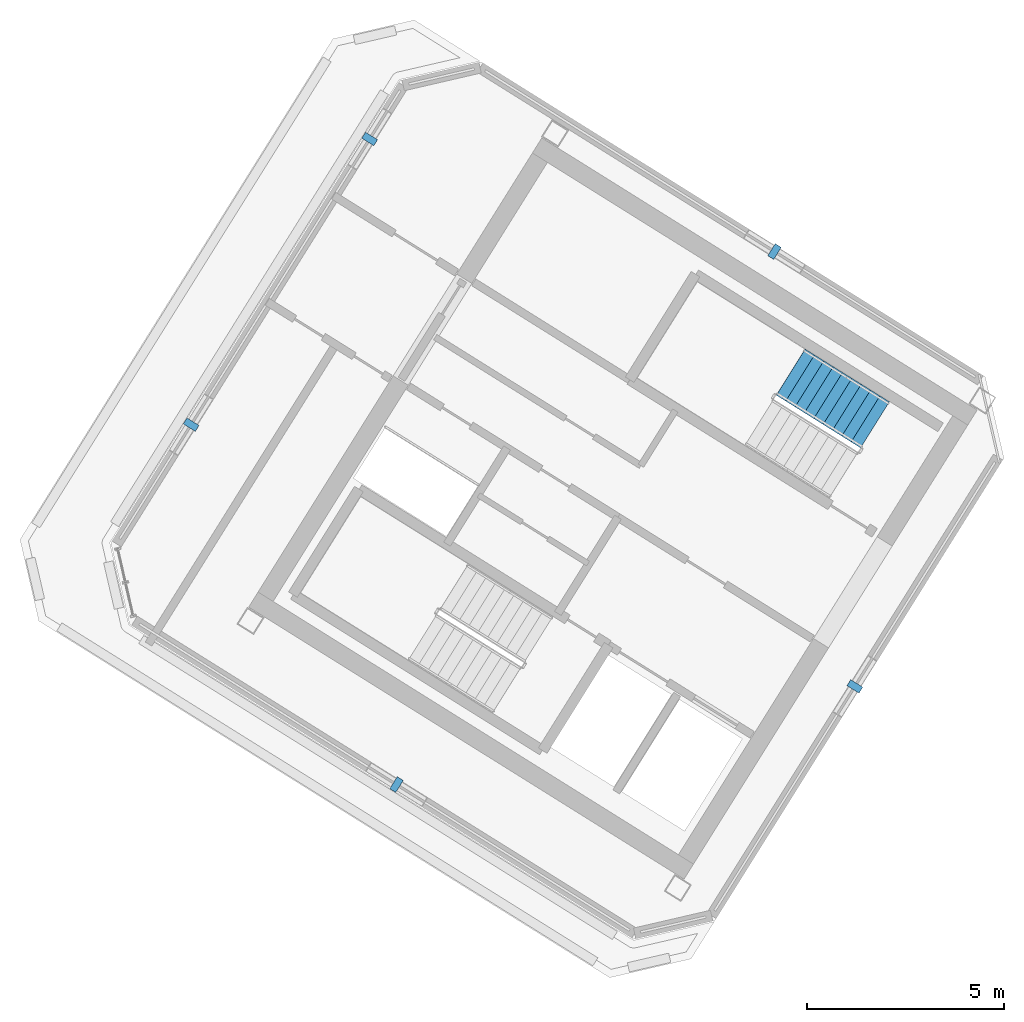
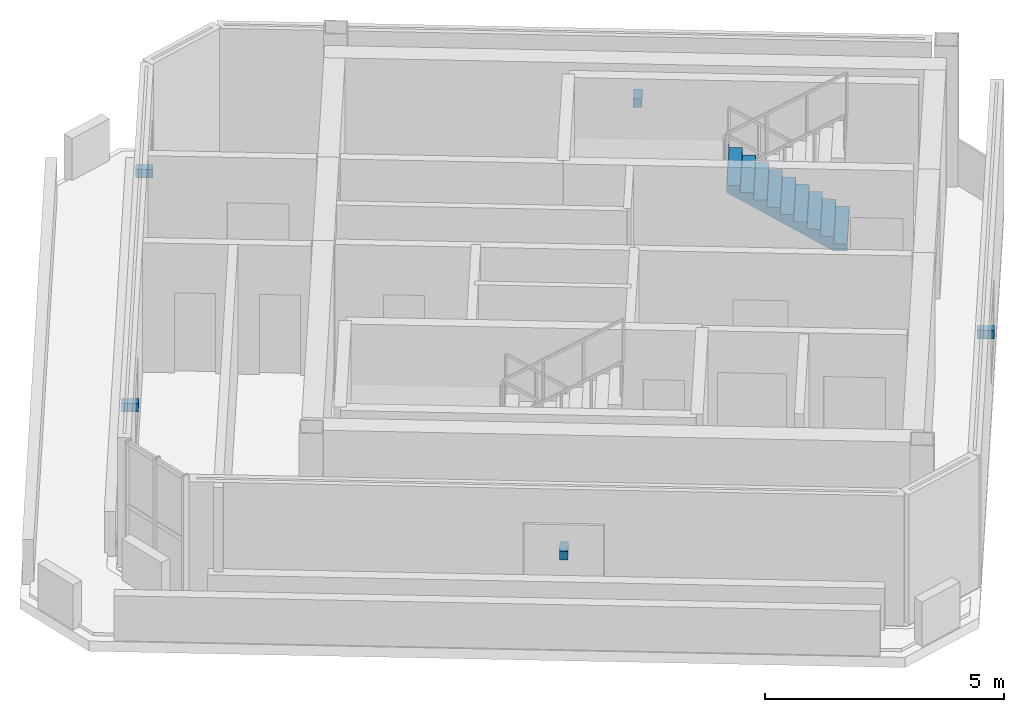
# One storey, part 5 of 6: 5 discrete accessories, 1 stair flight, 1 element without a shape of its own.
"""IFC4 building model written with IfcOpenShell, lengths in metres."""

from ifc_helpers import new_model, si_unit, direction, frame, origin, origin_2d, place, context, subcontext, project, spatial, polyline, rectangle, outline, extrude, source, transform, mapped, material, type_object, element, aggregate, save


model = new_model("IFC4")

# Units and contexts
model_context = context("Model", 3, precision=1e-05, world=origin(), true_north=direction((0.0, 1.0)))
body_context = subcontext(model_context, "Body", "Model", "MODEL_VIEW")
ifc_project = project(units=[si_unit("LENGTHUNIT", "METRE"), si_unit("AREAUNIT", "SQUARE_METRE"), si_unit("VOLUMEUNIT", "CUBIC_METRE"), si_unit("PLANEANGLEUNIT", "RADIAN"), si_unit("MASSUNIT", "GRAM", prefix="KILO")], contexts=[model_context])

# Site, building, storey
site_placement = place(None, origin())
site = spatial("IfcSite", under=ifc_project, at=site_placement, CompositionType="ELEMENT")
building_placement = place(site_placement, origin())
building = spatial("IfcBuilding", under=site, at=building_placement, Name="Tlacorven Tower", CompositionType="ELEMENT")
storey_placement = place(building_placement, frame((0.0, 0.0, 313.199951171875)))
storey = spatial("IfcBuildingStorey", under=building, at=storey_placement, Name="L80", CompositionType="ELEMENT", Elevation=313.199951171875)

# Stair, stair flight
ifc_material_1 = material(Name="Concrete C40/50", Category="concrete")
stair_type = type_object("IfcStairType", Name="ST-CORE-DLG", PredefinedType="HALF_TURN_STAIR", material=ifc_material_1)
stair_placement = place(storey_placement, origin())
stair = element("IfcStair", 1, at=stair_placement, inside=storey, type_object=stair_type, Name="L80 Protected Exit Stair West 2", PredefinedType="HALF_TURN_STAIR")
stair_flight_type = type_object("IfcStairFlightType", Name="SFL-RC-1380", PredefinedType="STRAIGHT", material=ifc_material_1)
shared_shape_1 = source(origin(), body_context, "Body", "SweptSolid", [
    extrude(outline(polyline([(-0.0029296875, -0.0029296875), (-0.0029296875, 0.179931640625), (0.280029296875, 0.179931640625), (0.280029296875, 0.360107421875), (0.56005859375, 0.360107421875), (0.56005859375, 0.5400390625), (0.840087890625, 0.5400390625), (0.840087890625, 0.719970703125), (1.1201171875, 0.719970703125), (1.1201171875, 0.89990234375), (1.39990234375, 0.89990234375), (1.39990234375, 1.080078125), (1.679931640625, 1.080078125), (1.679931640625, 1.260009765625), (1.9599609375, 1.260009765625), (1.9599609375, 1.43994140625), (2.239990234375, 1.43994140625), (2.239990234375, 1.6201171875), (2.52001953125, 1.6201171875), (2.52001953125, 1.800048828125), (2.52294921875, 1.800048828125), (2.52294921875, 1.429931640625), (2.52001953125, 1.429931640625), (0.295654296875, 0.0), (0.295654296875, -0.0029296875), (-0.0029296875, -0.0029296875)])), frame((0.0, 0.68994140625, 0.0), z_axis=(0.0, -1.0, 0.0), x_axis=(1.0, 0.0, 0.0)), (0.0, 0.0, 1.0), 1.3798828125),
])
stair_flight_placement = place(storey_placement, frame((38.051513671875, 23.852294921875, 0.0), z_axis=(0.0, 0.0, 1.0), x_axis=(-0.848048096156, 0.529919264233, 0.0)))
stair_flight = element("IfcStairFlight", 2, at=stair_flight_placement, type_object=stair_flight_type, Name="ST-W2 flight 1", NumberOfRisers=10, NumberOfTreads=9, PredefinedType="STRAIGHT", RiserHeight=0.18, TreadLength=0.28, context=body_context, shape_type="MappedRepresentation", body=[
    mapped(shared_shape_1, transform((0.0, 0.0, 0.0), scale=1.0)),
])
aggregate(stair, [stair_flight])

# Discrete accessories
ifc_material_2 = material(Name="Steel S355J2", Category="steel")
discrete_accessory_type = type_object("IfcDiscreteAccessoryType", Name="ACC-BRK-01", PredefinedType="BRACKET", material=ifc_material_2)
shared_shape_2 = source(origin(), body_context, "Body", "SweptSolid", [
    extrude(rectangle(XDim=0.179931640625, YDim=0.360107421875, at=origin_2d()), origin(), (0.0, 0.0, 1.0), 0.219970703125),
])
for number, where, z_axis, x_axis, name in (
    (3, (37.542724609375, 17.20703125, 1.5400390625), (0.0, 0.0, 1.0), (-0.529919044746, -0.848048233307, 0.0), "L80 Louvre Fixing Bracket 1.1"),
    (4, (25.900146484375, 14.712646484375, 1.5400390625), (0.0, 0.0, 1.0), (-0.848048192344, 0.5299191103, 0.0), "L80 Louvre Fixing Bracket 3.1"),
    (5, (20.683837890625, 23.85498046875, 1.5400390625), (0.0, 0.0, 1.0), (0.529919369218, 0.848048030554, 0.0), "L80 Louvre Fixing Bracket 4.1"),
    (6, (25.21826171875, 31.11181640625, 1.5400390625), (0.0, 0.0, 1.0), (0.529919369218, 0.848048030554, 0.0), "L80 Louvre Fixing Bracket 4.2"),
    (7, (35.50146484375, 28.252197265625, 1.5400390625), (0.0, 0.0, 1.0), (0.848048192344, -0.5299191103, 0.0), "L80 Louvre Fixing Bracket 6.1"),
):
    element("IfcDiscreteAccessory", number, at=place(storey_placement, frame(where, z_axis=z_axis, x_axis=x_axis)), inside=storey, type_object=discrete_accessory_type, Name=name, PredefinedType="BRACKET", context=body_context, shape_type="MappedRepresentation", body=[
        mapped(shared_shape_2, transform((0.0, 0.0, 0.0), scale=1.0)),
    ])

save(model, "model.ifc")
